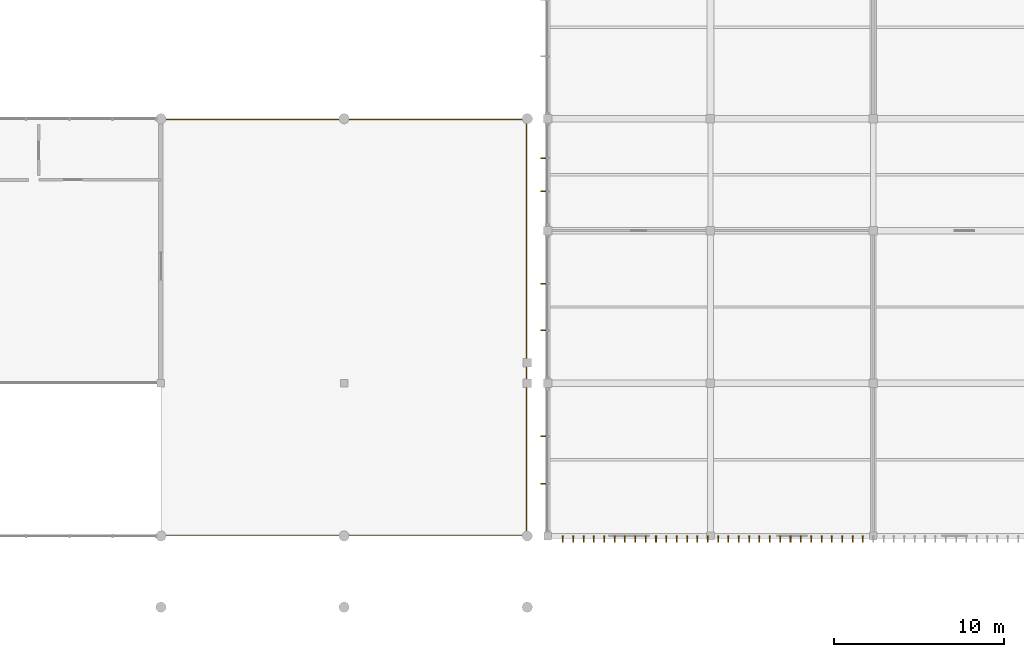
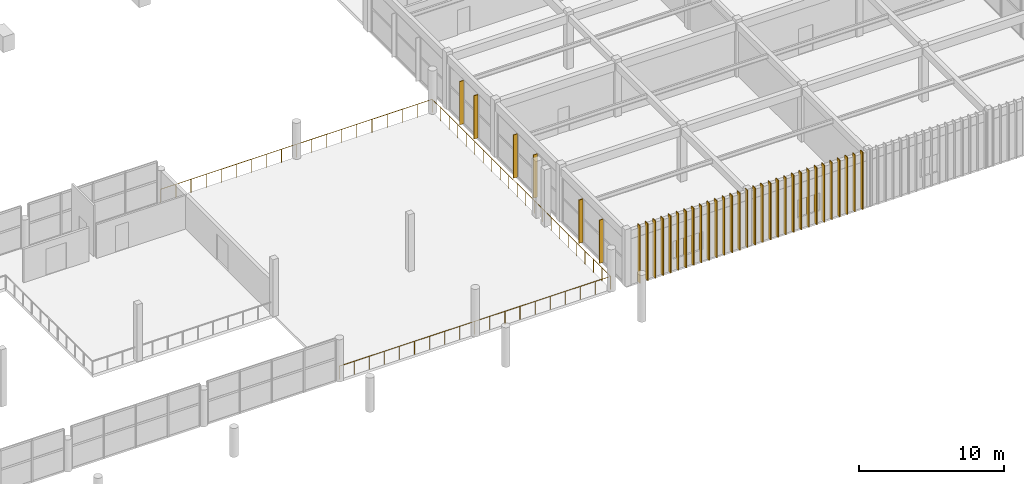
# One storey, part 67 of 74: 36 shading devices, 1 railing.
"""IFC4 building model written with IfcOpenShell, lengths in metres."""

from ifc_helpers import new_model, si_unit, direction, frame, origin, origin_2d, place, context, subcontext, project, spatial, rectangle, circle, extrude, material, type_object, element, save


model = new_model("IFC4")

# Units and contexts
model_context = context("Model", 3, precision=1e-05, world=origin(), true_north=direction((0.0, 1.0)))
body_context = subcontext(model_context, "Body", "Model", "MODEL_VIEW")
ifc_project = project(units=[si_unit("LENGTHUNIT", "METRE"), si_unit("AREAUNIT", "SQUARE_METRE"), si_unit("VOLUMEUNIT", "CUBIC_METRE"), si_unit("PLANEANGLEUNIT", "RADIAN"), si_unit("MASSUNIT", "GRAM", prefix="KILO")], contexts=[model_context])

# Site, building, storey
site_placement = place(None, origin())
site = spatial("IfcSite", under=ifc_project, at=site_placement, CompositionType="ELEMENT")
building_placement = place(site_placement, origin())
building = spatial("IfcBuilding", under=site, at=building_placement, Name="Suirenkawa Promenade Aquatics Centre", CompositionType="ELEMENT")
storey_placement = place(building_placement, frame((0.0, 0.0, 4.800048828125)))
storey = spatial("IfcBuildingStorey", under=building, at=storey_placement, Name="L01", CompositionType="ELEMENT", Elevation=4.800048828125)

# Railing
ifc_material_1 = material(Name="Marine-grade stainless steel Grade 316L", Category="steel")
railing_type = type_object("IfcRailingType", Name="RLT-BALUSTRADE-1120", PredefinedType="BALUSTRADE", material=ifc_material_1)
railing_placement = place(storey_placement, frame((133.199951171875, 4.239990234375, 0.0)))
element("IfcRailing", 1, at=railing_placement, inside=storey, type_object=railing_type, Name="Balustrade BAL-01 RL-0383", PredefinedType="BALUSTRADE", context=body_context, shape_type="SweptSolid", body=[
    extrude(circle(Radius=0.02392578125, at=origin_2d()), frame((0.0, 0.0, 1.09619140625), z_axis=(1.0, 0.0, 0.0), x_axis=(0.0, 1.0, 0.0)), (0.0, 0.0, 1.0), 21.56005859375),
    extrude(circle(Radius=0.02392578125, at=origin_2d()), frame((21.56005859375, 0.0, 1.09619140625), z_axis=(0.0, 1.0, 0.0), x_axis=(-1.0, 0.0, 0.0)), (0.0, 0.0, 1.0), 24.52001953125),
    extrude(circle(Radius=0.02392578125, at=origin_2d()), frame((21.56005859375, 24.52001953125, 1.09619140625), z_axis=(-1.0, 0.0, 0.0), x_axis=(0.0, -1.0, 0.0)), (0.0, 0.0, 1.0), 21.56005859375),
    extrude(circle(Radius=0.02099609375, at=origin_2d()), origin(), (0.0, 0.0, 1.0), 1.072021484375),
    extrude(circle(Radius=0.02099609375, at=origin_2d()), frame((1.19775390625, 0.0, 0.0)), (0.0, 0.0, 1.0), 1.072021484375),
    extrude(circle(Radius=0.02099609375, at=origin_2d()), frame((2.3955078125, 0.0, 0.0)), (0.0, 0.0, 1.0), 1.072021484375),
    extrude(circle(Radius=0.02099609375, at=origin_2d()), frame((3.59326171875, 0.0, 0.0)), (0.0, 0.0, 1.0), 1.072021484375),
    extrude(circle(Radius=0.02099609375, at=origin_2d()), frame((4.791015625, 0.0, 0.0)), (0.0, 0.0, 1.0), 1.072021484375),
    extrude(circle(Radius=0.02099609375, at=origin_2d()), frame((5.989013671875, 0.0, 0.0)), (0.0, 0.0, 1.0), 1.072021484375),
    extrude(circle(Radius=0.02099609375, at=origin_2d()), frame((7.186767578125, 0.0, 0.0)), (0.0, 0.0, 1.0), 1.072021484375),
    extrude(circle(Radius=0.02099609375, at=origin_2d()), frame((8.384521484375, 0.0, 0.0)), (0.0, 0.0, 1.0), 1.072021484375),
    extrude(circle(Radius=0.02099609375, at=origin_2d()), frame((9.582275390625, 0.0, 0.0)), (0.0, 0.0, 1.0), 1.072021484375),
    extrude(circle(Radius=0.02099609375, at=origin_2d()), frame((10.780029296875, 0.0, 0.0)), (0.0, 0.0, 1.0), 1.072021484375),
    extrude(circle(Radius=0.02099609375, at=origin_2d()), frame((11.977783203125, 0.0, 0.0)), (0.0, 0.0, 1.0), 1.072021484375),
    extrude(circle(Radius=0.02099609375, at=origin_2d()), frame((13.175537109375, 0.0, 0.0)), (0.0, 0.0, 1.0), 1.072021484375),
    extrude(circle(Radius=0.02099609375, at=origin_2d()), frame((14.373291015625, 0.0, 0.0)), (0.0, 0.0, 1.0), 1.072021484375),
    extrude(circle(Radius=0.02099609375, at=origin_2d()), frame((15.571044921875, 0.0, 0.0)), (0.0, 0.0, 1.0), 1.072021484375),
    extrude(circle(Radius=0.02099609375, at=origin_2d()), frame((16.76904296875, 0.0, 0.0)), (0.0, 0.0, 1.0), 1.072021484375),
    extrude(circle(Radius=0.02099609375, at=origin_2d()), frame((17.966796875, 0.0, 0.0)), (0.0, 0.0, 1.0), 1.072021484375),
    extrude(circle(Radius=0.02099609375, at=origin_2d()), frame((19.16455078125, 0.0, 0.0)), (0.0, 0.0, 1.0), 1.072021484375),
    extrude(circle(Radius=0.02099609375, at=origin_2d()), frame((20.3623046875, 0.0, 0.0)), (0.0, 0.0, 1.0), 1.072021484375),
    extrude(circle(Radius=0.02099609375, at=origin_2d()), frame((21.56005859375, 0.0, 0.0)), (0.0, 0.0, 1.0), 1.072021484375),
    extrude(circle(Radius=0.02099609375, at=origin_2d()), frame((21.56005859375, 1.167724609375, 0.0)), (0.0, 0.0, 1.0), 1.072021484375),
    extrude(circle(Radius=0.02099609375, at=origin_2d()), frame((21.56005859375, 2.335205078125, 0.0)), (0.0, 0.0, 1.0), 1.072021484375),
    extrude(circle(Radius=0.02099609375, at=origin_2d()), frame((21.56005859375, 3.5029296875, 0.0)), (0.0, 0.0, 1.0), 1.072021484375),
    extrude(circle(Radius=0.02099609375, at=origin_2d()), frame((21.56005859375, 4.67041015625, 0.0)), (0.0, 0.0, 1.0), 1.072021484375),
    extrude(circle(Radius=0.02099609375, at=origin_2d()), frame((21.56005859375, 5.838134765625, 0.0)), (0.0, 0.0, 1.0), 1.072021484375),
    extrude(circle(Radius=0.02099609375, at=origin_2d()), frame((21.56005859375, 7.005615234375, 0.0)), (0.0, 0.0, 1.0), 1.072021484375),
    extrude(circle(Radius=0.02099609375, at=origin_2d()), frame((21.56005859375, 8.17333984375, 0.0)), (0.0, 0.0, 1.0), 1.072021484375),
    extrude(circle(Radius=0.02099609375, at=origin_2d()), frame((21.56005859375, 9.341064453125, 0.0)), (0.0, 0.0, 1.0), 1.072021484375),
    extrude(circle(Radius=0.02099609375, at=origin_2d()), frame((21.56005859375, 10.508544921875, 0.0)), (0.0, 0.0, 1.0), 1.072021484375),
    extrude(circle(Radius=0.02099609375, at=origin_2d()), frame((21.56005859375, 11.67626953125, 0.0)), (0.0, 0.0, 1.0), 1.072021484375),
    extrude(circle(Radius=0.02099609375, at=origin_2d()), frame((21.56005859375, 12.84375, 0.0)), (0.0, 0.0, 1.0), 1.072021484375),
    extrude(circle(Radius=0.02099609375, at=origin_2d()), frame((21.56005859375, 14.011474609375, 0.0)), (0.0, 0.0, 1.0), 1.072021484375),
    extrude(circle(Radius=0.02099609375, at=origin_2d()), frame((21.56005859375, 15.178955078125, 0.0)), (0.0, 0.0, 1.0), 1.072021484375),
    extrude(circle(Radius=0.02099609375, at=origin_2d()), frame((21.56005859375, 16.3466796875, 0.0)), (0.0, 0.0, 1.0), 1.072021484375),
    extrude(circle(Radius=0.02099609375, at=origin_2d()), frame((21.56005859375, 17.514404296875, 0.0)), (0.0, 0.0, 1.0), 1.072021484375),
    extrude(circle(Radius=0.02099609375, at=origin_2d()), frame((21.56005859375, 18.681884765625, 0.0)), (0.0, 0.0, 1.0), 1.072021484375),
    extrude(circle(Radius=0.02099609375, at=origin_2d()), frame((21.56005859375, 19.849609375, 0.0)), (0.0, 0.0, 1.0), 1.072021484375),
    extrude(circle(Radius=0.02099609375, at=origin_2d()), frame((21.56005859375, 21.01708984375, 0.0)), (0.0, 0.0, 1.0), 1.072021484375),
    extrude(circle(Radius=0.02099609375, at=origin_2d()), frame((21.56005859375, 22.184814453125, 0.0)), (0.0, 0.0, 1.0), 1.072021484375),
    extrude(circle(Radius=0.02099609375, at=origin_2d()), frame((21.56005859375, 23.352294921875, 0.0)), (0.0, 0.0, 1.0), 1.072021484375),
    extrude(circle(Radius=0.02099609375, at=origin_2d()), frame((21.56005859375, 24.52001953125, 0.0)), (0.0, 0.0, 1.0), 1.072021484375),
    extrude(circle(Radius=0.02099609375, at=origin_2d()), frame((20.3623046875, 24.52001953125, 0.0)), (0.0, 0.0, 1.0), 1.072021484375),
    extrude(circle(Radius=0.02099609375, at=origin_2d()), frame((19.16455078125, 24.52001953125, 0.0)), (0.0, 0.0, 1.0), 1.072021484375),
    extrude(circle(Radius=0.02099609375, at=origin_2d()), frame((17.966796875, 24.52001953125, 0.0)), (0.0, 0.0, 1.0), 1.072021484375),
    extrude(circle(Radius=0.02099609375, at=origin_2d()), frame((16.76904296875, 24.52001953125, 0.0)), (0.0, 0.0, 1.0), 1.072021484375),
    extrude(circle(Radius=0.02099609375, at=origin_2d()), frame((15.571044921875, 24.52001953125, 0.0)), (0.0, 0.0, 1.0), 1.072021484375),
    extrude(circle(Radius=0.02099609375, at=origin_2d()), frame((14.373291015625, 24.52001953125, 0.0)), (0.0, 0.0, 1.0), 1.072021484375),
    extrude(circle(Radius=0.02099609375, at=origin_2d()), frame((13.175537109375, 24.52001953125, 0.0)), (0.0, 0.0, 1.0), 1.072021484375),
    extrude(circle(Radius=0.02099609375, at=origin_2d()), frame((11.977783203125, 24.52001953125, 0.0)), (0.0, 0.0, 1.0), 1.072021484375),
    extrude(circle(Radius=0.02099609375, at=origin_2d()), frame((10.780029296875, 24.52001953125, 0.0)), (0.0, 0.0, 1.0), 1.072021484375),
    extrude(circle(Radius=0.02099609375, at=origin_2d()), frame((9.582275390625, 24.52001953125, 0.0)), (0.0, 0.0, 1.0), 1.072021484375),
    extrude(circle(Radius=0.02099609375, at=origin_2d()), frame((8.384521484375, 24.52001953125, 0.0)), (0.0, 0.0, 1.0), 1.072021484375),
    extrude(circle(Radius=0.02099609375, at=origin_2d()), frame((7.186767578125, 24.52001953125, 0.0)), (0.0, 0.0, 1.0), 1.072021484375),
    extrude(circle(Radius=0.02099609375, at=origin_2d()), frame((5.989013671875, 24.52001953125, 0.0)), (0.0, 0.0, 1.0), 1.072021484375),
    extrude(circle(Radius=0.02099609375, at=origin_2d()), frame((4.791015625, 24.52001953125, 0.0)), (0.0, 0.0, 1.0), 1.072021484375),
    extrude(circle(Radius=0.02099609375, at=origin_2d()), frame((3.59326171875, 24.52001953125, 0.0)), (0.0, 0.0, 1.0), 1.072021484375),
    extrude(circle(Radius=0.02099609375, at=origin_2d()), frame((2.3955078125, 24.52001953125, 0.0)), (0.0, 0.0, 1.0), 1.072021484375),
    extrude(circle(Radius=0.02099609375, at=origin_2d()), frame((1.19775390625, 24.52001953125, 0.0)), (0.0, 0.0, 1.0), 1.072021484375),
    extrude(circle(Radius=0.02099609375, at=origin_2d()), frame((0.0, 24.52001953125, 0.0)), (0.0, 0.0, 1.0), 1.072021484375),
])

# Shading devices
ifc_material_2 = material(Name="Anodised aluminium 6063-T6", Category="aluminium")
shading_device_type_1 = type_object("IfcShadingDeviceType", Name="SDT-KOUSHI-320", PredefinedType="USERDEFINED", material=ifc_material_2)
for number, where, z_axis, x_axis, name in (
    (2, (155.76806640625, 7.282958984375, 0.0400390625), (0.0, 0.0, 1.0), (-1.0, 0.0, 0.0), "Vertical solar shading fin FN-02 FIN-0035"),
    (3, (155.76806640625, 10.06689453125, 0.0400390625), (0.0, 0.0, 1.0), (-1.0, 0.0, 0.0), "Vertical solar shading fin FN-02 FIN-0036"),
    (4, (155.76806640625, 16.31640625, 0.0400390625), (0.0, 0.0, 1.0), (-1.0, 0.0, 0.0), "Vertical solar shading fin FN-02 FIN-0039"),
    (5, (155.76806640625, 19.083740234375, 0.0400390625), (0.0, 0.0, 1.0), (-1.0, 0.0, 0.0), "Vertical solar shading fin FN-02 FIN-0040"),
    (6, (155.76806640625, 24.516357421875, 0.0400390625), (0.0, 0.0, 1.0), (-1.0, 0.0, 0.0), "Vertical solar shading fin FN-02 FIN-0043"),
    (7, (155.76806640625, 26.483642578125, 0.0400390625), (0.0, 0.0, 1.0), (-1.0, 0.0, 0.0), "Vertical solar shading fin FN-02 FIN-0044"),
):
    element("IfcShadingDevice", number, at=place(storey_placement, frame(where, z_axis=z_axis, x_axis=x_axis)), inside=storey, type_object=shading_device_type_1, Name=name, ObjectType="FIN", PredefinedType="USERDEFINED", context=body_context, shape_type="SweptSolid", body=[
        extrude(rectangle(XDim=0.320068359375, YDim=0.06005859375, at=origin_2d()), origin(), (0.0, 0.0, 1.0), 3.639892578125),
    ])
shading_device_type_2 = type_object("IfcShadingDeviceType", Name="SDT-KOUSHI-400", PredefinedType="USERDEFINED", material=ifc_material_2)
for number, where, z_axis, x_axis, name in (
    (8, (156.89990234375, 4.02001953125, 0.0), (0.0, 0.0, 1.0), (1.0, 0.0, 0.0), "Koushi facade sunshade SH-01 SHD-0261"),
    (9, (157.510009765625, 4.02001953125, 0.0), (0.0, 0.0, 1.0), (1.0, 0.0, 0.0), "Koushi facade sunshade SH-01 SHD-0262"),
    (10, (158.1201171875, 4.02001953125, 0.0), (0.0, 0.0, 1.0), (1.0, 0.0, 0.0), "Koushi facade sunshade SH-01 SHD-0263"),
    (11, (158.72998046875, 4.02001953125, 0.0), (0.0, 0.0, 1.0), (1.0, 0.0, 0.0), "Koushi facade sunshade SH-01 SHD-0264"),
    (12, (159.340087890625, 4.02001953125, 0.0), (0.0, 0.0, 1.0), (1.0, 0.0, 0.0), "Koushi facade sunshade SH-01 SHD-0265"),
    (13, (159.949951171875, 4.02001953125, 0.0), (0.0, 0.0, 1.0), (1.0, 0.0, 0.0), "Koushi facade sunshade SH-01 SHD-0266"),
    (14, (160.56005859375, 4.02001953125, 0.0), (0.0, 0.0, 1.0), (1.0, 0.0, 0.0), "Koushi facade sunshade SH-01 SHD-0267"),
    (15, (161.169921875, 4.02001953125, 0.0), (0.0, 0.0, 1.0), (1.0, 0.0, 0.0), "Koushi facade sunshade SH-01 SHD-0268"),
    (16, (161.780029296875, 4.02001953125, 0.0), (0.0, 0.0, 1.0), (1.0, 0.0, 0.0), "Koushi facade sunshade SH-01 SHD-0269"),
    (17, (162.389892578125, 4.02001953125, 0.0), (0.0, 0.0, 1.0), (1.0, 0.0, 0.0), "Koushi facade sunshade SH-01 SHD-0270"),
    (18, (163.0, 4.02001953125, 0.0), (0.0, 0.0, 1.0), (1.0, 0.0, 0.0), "Koushi facade sunshade SH-01 SHD-0271"),
    (19, (163.610107421875, 4.02001953125, 0.0), (0.0, 0.0, 1.0), (1.0, 0.0, 0.0), "Koushi facade sunshade SH-01 SHD-0272"),
    (20, (164.219970703125, 4.02001953125, 0.0), (0.0, 0.0, 1.0), (1.0, 0.0, 0.0), "Koushi facade sunshade SH-01 SHD-0273"),
    (21, (164.830078125, 4.02001953125, 0.0), (0.0, 0.0, 1.0), (1.0, 0.0, 0.0), "Koushi facade sunshade SH-01 SHD-0274"),
    (22, (165.43994140625, 4.02001953125, 0.0), (0.0, 0.0, 1.0), (1.0, 0.0, 0.0), "Koushi facade sunshade SH-01 SHD-0275"),
    (23, (166.050048828125, 4.02001953125, 0.0), (0.0, 0.0, 1.0), (1.0, 0.0, 0.0), "Koushi facade sunshade SH-01 SHD-0276"),
    (24, (166.659912109375, 4.02001953125, 0.0), (0.0, 0.0, 1.0), (1.0, 0.0, 0.0), "Koushi facade sunshade SH-01 SHD-0277"),
    (25, (167.27001953125, 4.02001953125, 0.0), (0.0, 0.0, 1.0), (1.0, 0.0, 0.0), "Koushi facade sunshade SH-01 SHD-0278"),
    (26, (167.8798828125, 4.02001953125, 0.0), (0.0, 0.0, 1.0), (1.0, 0.0, 0.0), "Koushi facade sunshade SH-01 SHD-0279"),
    (27, (168.489990234375, 4.02001953125, 0.0), (0.0, 0.0, 1.0), (1.0, 0.0, 0.0), "Koushi facade sunshade SH-01 SHD-0280"),
    (28, (169.10009765625, 4.02001953125, 0.0), (0.0, 0.0, 1.0), (1.0, 0.0, 0.0), "Koushi facade sunshade SH-01 SHD-0281"),
    (29, (169.7099609375, 4.02001953125, 0.0), (0.0, 0.0, 1.0), (1.0, 0.0, 0.0), "Koushi facade sunshade SH-01 SHD-0282"),
    (30, (170.320068359375, 4.02001953125, 0.0), (0.0, 0.0, 1.0), (1.0, 0.0, 0.0), "Koushi facade sunshade SH-01 SHD-0283"),
    (31, (170.929931640625, 4.02001953125, 0.0), (0.0, 0.0, 1.0), (1.0, 0.0, 0.0), "Koushi facade sunshade SH-01 SHD-0284"),
    (32, (171.5400390625, 4.02001953125, 0.0), (0.0, 0.0, 1.0), (1.0, 0.0, 0.0), "Koushi facade sunshade SH-01 SHD-0285"),
    (33, (172.14990234375, 4.02001953125, 0.0), (0.0, 0.0, 1.0), (1.0, 0.0, 0.0), "Koushi facade sunshade SH-01 SHD-0286"),
    (34, (172.760009765625, 4.02001953125, 0.0), (0.0, 0.0, 1.0), (1.0, 0.0, 0.0), "Koushi facade sunshade SH-01 SHD-0287"),
    (35, (173.3701171875, 4.02001953125, 0.0), (0.0, 0.0, 1.0), (1.0, 0.0, 0.0), "Koushi facade sunshade SH-01 SHD-0288"),
    (36, (173.97998046875, 4.02001953125, 0.0), (0.0, 0.0, 1.0), (1.0, 0.0, 0.0), "Koushi facade sunshade SH-01 SHD-0289"),
    (37, (174.590087890625, 4.02001953125, 0.0), (0.0, 0.0, 1.0), (1.0, 0.0, 0.0), "Koushi facade sunshade SH-01 SHD-0290"),
):
    element("IfcShadingDevice", number, at=place(storey_placement, frame(where, z_axis=z_axis, x_axis=x_axis)), inside=storey, type_object=shading_device_type_2, Name=name, ObjectType="FIN", PredefinedType="USERDEFINED", context=body_context, shape_type="SweptSolid", body=[
        extrude(rectangle(XDim=0.06005859375, YDim=0.360107421875, at=origin_2d()), origin(), (0.0, 0.0, 1.0), 4.800048828125),
    ])

save(model, "model.ifc")
